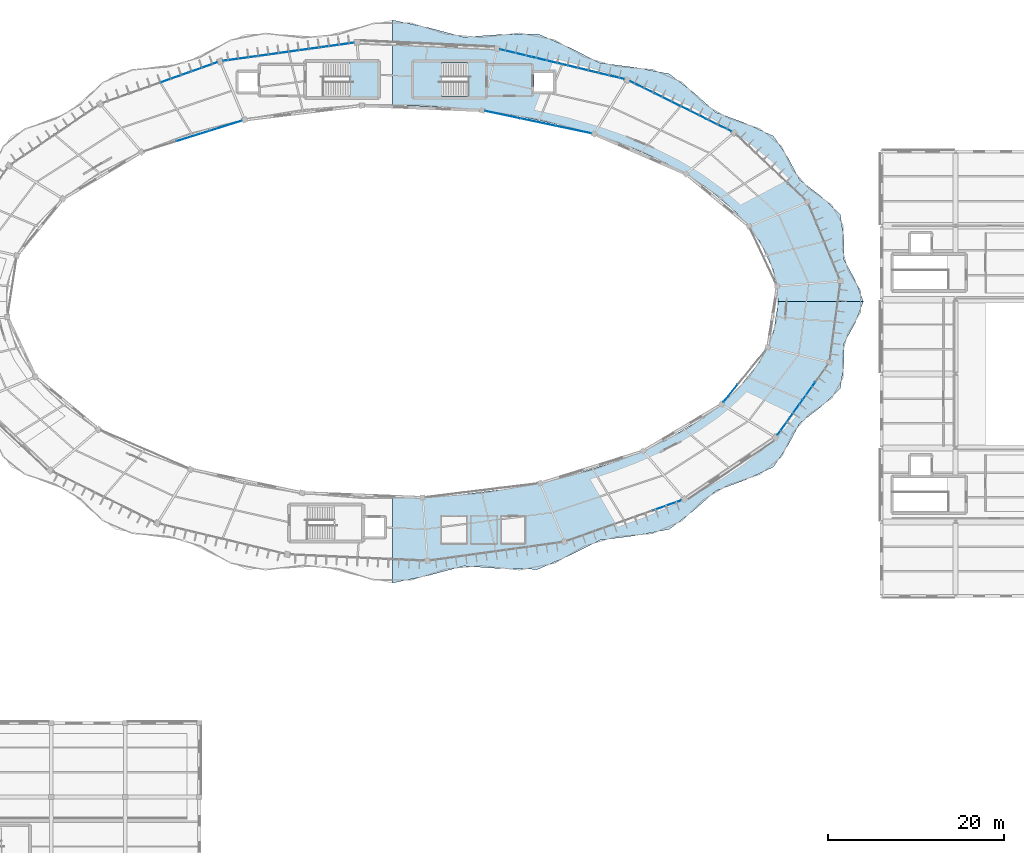
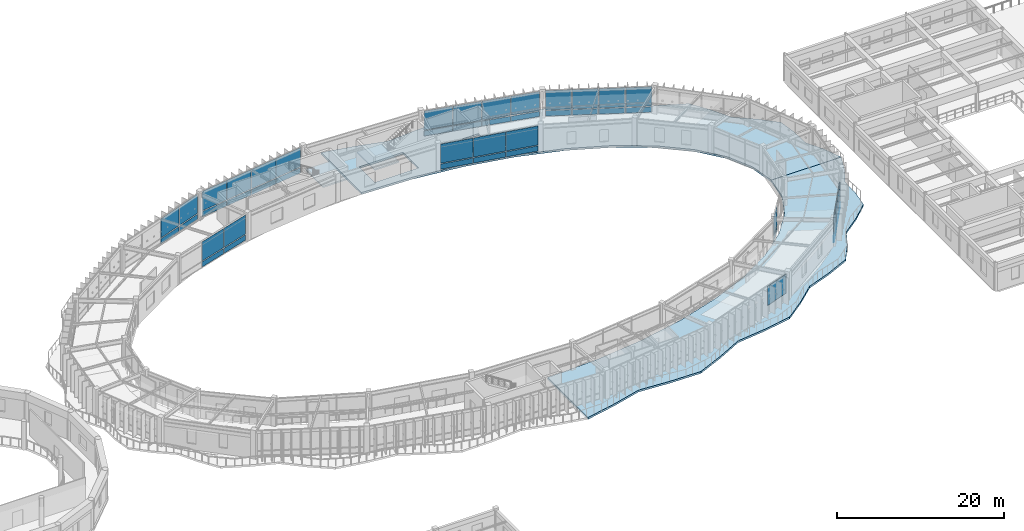
# One storey, part 86 of 114: 47 plates, 4 slabs, 11 elements without a shape of their own.
"""IFC4 building model written with IfcOpenShell, lengths in metres."""

from ifc_helpers import new_model, si_unit, direction, frame, origin, origin_2d, place, context, subcontext, project, spatial, polyline, rectangle, outline, extrude, material, layer, layer_set, type_object, element, aggregate, save


model = new_model("IFC4")

# Units and contexts
model_context = context("Model", 3, precision=1e-05, world=origin(), true_north=direction((0.0, 1.0)))
body_context = subcontext(model_context, "Body", "Model", "MODEL_VIEW")
ifc_project = project(units=[si_unit("LENGTHUNIT", "METRE"), si_unit("AREAUNIT", "SQUARE_METRE"), si_unit("VOLUMEUNIT", "CUBIC_METRE"), si_unit("PLANEANGLEUNIT", "RADIAN"), si_unit("MASSUNIT", "GRAM", prefix="KILO"), si_unit("THERMODYNAMICTEMPERATUREUNIT", "KELVIN"), si_unit("POWERUNIT", "WATT")], contexts=[model_context])

# Site, building, storey
site_placement = place(None, origin())
site = spatial("IfcSite", under=ifc_project, at=site_placement, CompositionType="ELEMENT")
building_placement = place(site_placement, origin())
building = spatial("IfcBuilding", under=site, at=building_placement, Name="Darbajah Civic Hall", CompositionType="ELEMENT")
storey_placement = place(building_placement, frame((0.0, 0.0, 13.800048828125)))
storey = spatial("IfcBuildingStorey", under=building, at=storey_placement, Name="L03", CompositionType="ELEMENT", Elevation=13.800048828125)

# Curtain wall, plates
ifc_material_1 = material(Name="Anodised Bronze Aluminium and Low-E Glazing", Category="aluminium")
curtain_wall_type_1 = type_object("IfcCurtainWallType", Name="Unitised Curtain Wall CW-56 12900x3900", PredefinedType="USERDEFINED", material=ifc_material_1)
curtain_wall_1_placement = place(storey_placement, origin())
curtain_wall_1 = element("IfcCurtainWall", 1, at=curtain_wall_1_placement, inside=storey, type_object=curtain_wall_type_1, Name="L03 unitised curtain wall CW-V1O-L03-02", ObjectType="UNITISED CURTAIN WALL", PredefinedType="USERDEFINED")
ifc_material_2 = material(Name="Low-E Solar Control Double Glazing", Category="glass")
ifc_layer_1 = layer(ifc_material_2, 0.02392578125, Name="Low-E Solar Control Double Glazing")
ifc_layer_set_1 = layer_set([ifc_layer_1], Name="Low-E Solar Control Double Glazing")
plate_type_1 = type_object("IfcPlateType", Name="Solar Double Glazing 24mm", PredefinedType="CURTAIN_PANEL", material=ifc_layer_set_1)
plate_1_placement = place(storey_placement, frame((126.14404296875, 109.816650390625, 0.10009765625), z_axis=(0.0, 0.0, 1.0), x_axis=(-0.89656374724, 0.442914717678, 0.0)))
plate_1 = element("IfcPlate", 2, at=plate_1_placement, type_object=plate_type_1, Name="CW-V1O-L03-02 glazed panel 1.1", PredefinedType="CURTAIN_PANEL", context=body_context, shape_type="SweptSolid", body=[
    extrude(rectangle(XDim=3.15478515625, YDim=0.02392578125, at=origin_2d()), origin(), (0.0, 0.0, 1.0), 0.800048828125),
])
plate_2_placement = place(storey_placement, frame((126.14404296875, 109.816650390625, 1.0), z_axis=(0.0, 0.0, 1.0), x_axis=(-0.89656374724, 0.442914717678, 0.0)))
plate_2 = element("IfcPlate", 3, at=plate_2_placement, type_object=plate_type_1, Name="CW-V1O-L03-02 glazed panel 1.2", PredefinedType="CURTAIN_PANEL", context=body_context, shape_type="SweptSolid", body=[
    extrude(rectangle(XDim=3.15478515625, YDim=0.02392578125, at=origin_2d()), origin(), (0.0, 0.0, 1.0), 2.820068359375),
])
plate_3_placement = place(storey_placement, frame((123.25732421875, 111.24267578125, 0.10009765625), z_axis=(0.0, 0.0, 1.0), x_axis=(-0.89656374724, 0.442914717678, 0.0)))
plate_3 = element("IfcPlate", 4, at=plate_3_placement, type_object=plate_type_1, Name="CW-V1O-L03-02 glazed panel 2.1", PredefinedType="CURTAIN_PANEL", context=body_context, shape_type="SweptSolid", body=[
    extrude(rectangle(XDim=3.15478515625, YDim=0.02392578125, at=origin_2d()), origin(), (0.0, 0.0, 1.0), 0.800048828125),
])
plate_4_placement = place(storey_placement, frame((123.25732421875, 111.24267578125, 1.0), z_axis=(0.0, 0.0, 1.0), x_axis=(-0.89656374724, 0.442914717678, 0.0)))
plate_4 = element("IfcPlate", 5, at=plate_4_placement, type_object=plate_type_1, Name="CW-V1O-L03-02 glazed panel 2.2", PredefinedType="CURTAIN_PANEL", context=body_context, shape_type="SweptSolid", body=[
    extrude(rectangle(XDim=3.15478515625, YDim=0.02392578125, at=origin_2d()), origin(), (0.0, 0.0, 1.0), 2.820068359375),
])
plate_5_placement = place(storey_placement, frame((120.37060546875, 112.6689453125, 0.10009765625), z_axis=(0.0, 0.0, 1.0), x_axis=(-0.89656374724, 0.442914717678, 0.0)))
plate_5 = element("IfcPlate", 6, at=plate_5_placement, type_object=plate_type_1, Name="CW-V1O-L03-02 glazed panel 3.1", PredefinedType="CURTAIN_PANEL", context=body_context, shape_type="SweptSolid", body=[
    extrude(rectangle(XDim=3.15478515625, YDim=0.02392578125, at=origin_2d()), origin(), (0.0, 0.0, 1.0), 0.800048828125),
])
plate_6_placement = place(storey_placement, frame((120.37060546875, 112.6689453125, 1.0), z_axis=(0.0, 0.0, 1.0), x_axis=(-0.89656374724, 0.442914717678, 0.0)))
plate_6 = element("IfcPlate", 7, at=plate_6_placement, type_object=plate_type_1, Name="CW-V1O-L03-02 glazed panel 3.2", PredefinedType="CURTAIN_PANEL", context=body_context, shape_type="SweptSolid", body=[
    extrude(rectangle(XDim=3.15478515625, YDim=0.02392578125, at=origin_2d()), origin(), (0.0, 0.0, 1.0), 2.820068359375),
])
plate_7_placement = place(storey_placement, frame((117.48388671875, 114.094970703125, 0.10009765625), z_axis=(0.0, 0.0, 1.0), x_axis=(-0.89656374724, 0.442914717678, 0.0)))
plate_7 = element("IfcPlate", 8, at=plate_7_placement, type_object=plate_type_1, Name="CW-V1O-L03-02 glazed panel 4.1", PredefinedType="CURTAIN_PANEL", context=body_context, shape_type="SweptSolid", body=[
    extrude(rectangle(XDim=3.15478515625, YDim=0.02392578125, at=origin_2d()), origin(), (0.0, 0.0, 1.0), 0.800048828125),
])
plate_8_placement = place(storey_placement, frame((117.48388671875, 114.094970703125, 1.0), z_axis=(0.0, 0.0, 1.0), x_axis=(-0.89656374724, 0.442914717678, 0.0)))
plate_8 = element("IfcPlate", 9, at=plate_8_placement, type_object=plate_type_1, Name="CW-V1O-L03-02 glazed panel 4.2", PredefinedType="CURTAIN_PANEL", context=body_context, shape_type="SweptSolid", body=[
    extrude(rectangle(XDim=3.15478515625, YDim=0.02392578125, at=origin_2d()), origin(), (0.0, 0.0, 1.0), 2.820068359375),
])
aggregate(curtain_wall_1, [plate_1, plate_2, plate_3, plate_4, plate_5, plate_6, plate_7, plate_8])

curtain_wall_type_2 = type_object("IfcCurtainWallType", Name="Unitised Curtain Wall CW-42 15000x3900", PredefinedType="USERDEFINED", material=ifc_material_1)
curtain_wall_2_placement = place(storey_placement, origin())
curtain_wall_2 = element("IfcCurtainWall", 10, at=curtain_wall_2_placement, inside=storey, type_object=curtain_wall_type_2, Name="L03 unitised curtain wall CW-V1O-L03-05", ObjectType="UNITISED CURTAIN WALL", PredefinedType="USERDEFINED")
plate_9_placement = place(storey_placement, frame((82.916259765625, 118.906005859375, 0.10009765625), z_axis=(0.0, 0.0, 1.0), x_axis=(-0.990485459553, -0.137617420457, 0.0)))
plate_9 = element("IfcPlate", 11, at=plate_9_placement, type_object=plate_type_1, Name="CW-V1O-L03-05 glazed panel 1.1", PredefinedType="CURTAIN_PANEL", context=body_context, shape_type="SweptSolid", body=[
    extrude(rectangle(XDim=3.6875, YDim=0.02392578125, at=origin_2d()), origin(), (0.0, 0.0, 1.0), 0.800048828125),
])
plate_10_placement = place(storey_placement, frame((82.916259765625, 118.906005859375, 1.0), z_axis=(0.0, 0.0, 1.0), x_axis=(-0.990485459553, -0.137617420457, 0.0)))
plate_10 = element("IfcPlate", 12, at=plate_10_placement, type_object=plate_type_1, Name="CW-V1O-L03-05 glazed panel 1.2", PredefinedType="CURTAIN_PANEL", context=body_context, shape_type="SweptSolid", body=[
    extrude(rectangle(XDim=3.6875, YDim=0.02392578125, at=origin_2d()), origin(), (0.0, 0.0, 1.0), 2.820068359375),
])
plate_11_placement = place(storey_placement, frame((79.19921875, 118.389892578125, 0.10009765625), z_axis=(0.0, 0.0, 1.0), x_axis=(-0.990485459553, -0.137617420457, 0.0)))
plate_11 = element("IfcPlate", 13, at=plate_11_placement, type_object=plate_type_1, Name="CW-V1O-L03-05 glazed panel 2.1", PredefinedType="CURTAIN_PANEL", context=body_context, shape_type="SweptSolid", body=[
    extrude(rectangle(XDim=3.6875, YDim=0.02392578125, at=origin_2d()), origin(), (0.0, 0.0, 1.0), 0.800048828125),
])
plate_12_placement = place(storey_placement, frame((79.19921875, 118.389892578125, 1.0), z_axis=(0.0, 0.0, 1.0), x_axis=(-0.990485459553, -0.137617420457, 0.0)))
plate_12 = element("IfcPlate", 14, at=plate_12_placement, type_object=plate_type_1, Name="CW-V1O-L03-05 glazed panel 2.2", PredefinedType="CURTAIN_PANEL", context=body_context, shape_type="SweptSolid", body=[
    extrude(rectangle(XDim=3.6875, YDim=0.02392578125, at=origin_2d()), origin(), (0.0, 0.0, 1.0), 2.820068359375),
])
plate_13_placement = place(storey_placement, frame((75.482421875, 117.87353515625, 0.10009765625), z_axis=(0.0, 0.0, 1.0), x_axis=(-0.990485459553, -0.137617420457, 0.0)))
plate_13 = element("IfcPlate", 15, at=plate_13_placement, type_object=plate_type_1, Name="CW-V1O-L03-05 glazed panel 3.1", PredefinedType="CURTAIN_PANEL", context=body_context, shape_type="SweptSolid", body=[
    extrude(rectangle(XDim=3.6875, YDim=0.02392578125, at=origin_2d()), origin(), (0.0, 0.0, 1.0), 0.800048828125),
])
plate_14_placement = place(storey_placement, frame((75.482421875, 117.87353515625, 1.0), z_axis=(0.0, 0.0, 1.0), x_axis=(-0.990485459553, -0.137617420457, 0.0)))
plate_14 = element("IfcPlate", 16, at=plate_14_placement, type_object=plate_type_1, Name="CW-V1O-L03-05 glazed panel 3.2", PredefinedType="CURTAIN_PANEL", context=body_context, shape_type="SweptSolid", body=[
    extrude(rectangle(XDim=3.6875, YDim=0.02392578125, at=origin_2d()), origin(), (0.0, 0.0, 1.0), 2.820068359375),
])
plate_15_placement = place(storey_placement, frame((71.765380859375, 117.357421875, 0.10009765625), z_axis=(0.0, 0.0, 1.0), x_axis=(-0.990485459553, -0.137617420457, 0.0)))
plate_15 = element("IfcPlate", 17, at=plate_15_placement, type_object=plate_type_1, Name="CW-V1O-L03-05 glazed panel 4.1", PredefinedType="CURTAIN_PANEL", context=body_context, shape_type="SweptSolid", body=[
    extrude(rectangle(XDim=3.6875, YDim=0.02392578125, at=origin_2d()), origin(), (0.0, 0.0, 1.0), 0.800048828125),
])
plate_16_placement = place(storey_placement, frame((71.765380859375, 117.357421875, 1.0), z_axis=(0.0, 0.0, 1.0), x_axis=(-0.990485459553, -0.137617420457, 0.0)))
plate_16 = element("IfcPlate", 18, at=plate_16_placement, type_object=plate_type_1, Name="CW-V1O-L03-05 glazed panel 4.2", PredefinedType="CURTAIN_PANEL", context=body_context, shape_type="SweptSolid", body=[
    extrude(rectangle(XDim=3.6875, YDim=0.02392578125, at=origin_2d()), origin(), (0.0, 0.0, 1.0), 2.820068359375),
])
aggregate(curtain_wall_2, [plate_9, plate_10, plate_11, plate_12, plate_13, plate_14, plate_15, plate_16])

curtain_wall_type_3 = type_object("IfcCurtainWallType", Name="Unitised Curtain Wall CW-41 12300x3900", PredefinedType="USERDEFINED", material=ifc_material_1)
curtain_wall_3_placement = place(storey_placement, origin())
curtain_wall_3 = element("IfcCurtainWall", 19, at=curtain_wall_3_placement, inside=storey, type_object=curtain_wall_type_3, Name="L03 unitised curtain wall CW-V1I-L03-03", ObjectType="UNITISED CURTAIN WALL", PredefinedType="USERDEFINED")
ifc_layer_2 = layer(ifc_material_2, 0.028076171875, Name="Low-E Solar Control Double Glazing")
ifc_layer_set_2 = layer_set([ifc_layer_2], Name="Low-E Solar Control Double Glazing")
plate_type_2 = type_object("IfcPlateType", Name="Solar Double Glazing 28mm", PredefinedType="CURTAIN_PANEL", material=ifc_layer_set_2)
plate_17_placement = place(storey_placement, frame((109.67822265625, 109.30029296875, 0.119873046875), z_axis=(0.0, 0.0, 1.0), x_axis=(-0.978472980779, 0.206374964291, 0.0)))
plate_17 = element("IfcPlate", 20, at=plate_17_placement, type_object=plate_type_2, Name="CW-V1I-L03-03 glazed panel 1.1", PredefinedType="CURTAIN_PANEL", context=body_context, shape_type="SweptSolid", body=[
    extrude(rectangle(XDim=4.041748046875, YDim=0.028076171875, at=origin_2d()), origin(), (0.0, 0.0, 1.0), 0.77001953125),
])
plate_18_placement = place(storey_placement, frame((109.67822265625, 109.30029296875, 1.010009765625), z_axis=(0.0, 0.0, 1.0), x_axis=(-0.978472980779, 0.206374964291, 0.0)))
plate_18 = element("IfcPlate", 21, at=plate_18_placement, type_object=plate_type_2, Name="CW-V1I-L03-03 glazed panel 1.2", PredefinedType="CURTAIN_PANEL", context=body_context, shape_type="SweptSolid", body=[
    extrude(rectangle(XDim=4.041748046875, YDim=0.028076171875, at=origin_2d()), origin(), (0.0, 0.0, 1.0), 2.7900390625),
])
plate_19_placement = place(storey_placement, frame((105.655029296875, 110.148681640625, 0.119873046875), z_axis=(0.0, 0.0, 1.0), x_axis=(-0.978472980779, 0.206374964291, 0.0)))
plate_19 = element("IfcPlate", 22, at=plate_19_placement, type_object=plate_type_2, Name="CW-V1I-L03-03 glazed panel 2.1", PredefinedType="CURTAIN_PANEL", context=body_context, shape_type="SweptSolid", body=[
    extrude(rectangle(XDim=4.041748046875, YDim=0.028076171875, at=origin_2d()), origin(), (0.0, 0.0, 1.0), 0.77001953125),
])
plate_20_placement = place(storey_placement, frame((105.655029296875, 110.148681640625, 1.010009765625), z_axis=(0.0, 0.0, 1.0), x_axis=(-0.978472980779, 0.206374964291, 0.0)))
plate_20 = element("IfcPlate", 23, at=plate_20_placement, type_object=plate_type_2, Name="CW-V1I-L03-03 glazed panel 2.2", PredefinedType="CURTAIN_PANEL", context=body_context, shape_type="SweptSolid", body=[
    extrude(rectangle(XDim=4.041748046875, YDim=0.028076171875, at=origin_2d()), origin(), (0.0, 0.0, 1.0), 2.7900390625),
])
plate_21_placement = place(storey_placement, frame((101.632080078125, 110.997314453125, 0.119873046875), z_axis=(0.0, 0.0, 1.0), x_axis=(-0.978472980779, 0.206374964291, 0.0)))
plate_21 = element("IfcPlate", 24, at=plate_21_placement, type_object=plate_type_2, Name="CW-V1I-L03-03 glazed panel 3.1", PredefinedType="CURTAIN_PANEL", context=body_context, shape_type="SweptSolid", body=[
    extrude(rectangle(XDim=4.041748046875, YDim=0.028076171875, at=origin_2d()), origin(), (0.0, 0.0, 1.0), 0.77001953125),
])
plate_22_placement = place(storey_placement, frame((101.632080078125, 110.997314453125, 1.010009765625), z_axis=(0.0, 0.0, 1.0), x_axis=(-0.978472980779, 0.206374964291, 0.0)))
plate_22 = element("IfcPlate", 25, at=plate_22_placement, type_object=plate_type_2, Name="CW-V1I-L03-03 glazed panel 3.2", PredefinedType="CURTAIN_PANEL", context=body_context, shape_type="SweptSolid", body=[
    extrude(rectangle(XDim=4.041748046875, YDim=0.028076171875, at=origin_2d()), origin(), (0.0, 0.0, 1.0), 2.7900390625),
])
aggregate(curtain_wall_3, [plate_17, plate_18, plate_19, plate_20, plate_21, plate_22])

curtain_wall_type_4 = type_object("IfcCurtainWallType", Name="Unitised Curtain Wall CW-43 11600x3900", PredefinedType="USERDEFINED", material=ifc_material_1)
curtain_wall_4_placement = place(storey_placement, origin())
curtain_wall_4 = element("IfcCurtainWall", 26, at=curtain_wall_4_placement, inside=storey, type_object=curtain_wall_type_4, Name="L03 unitised curtain wall CW-V1I-L03-06", ObjectType="UNITISED CURTAIN WALL", PredefinedType="USERDEFINED")
plate_23_placement = place(storey_placement, frame((70.198974609375, 109.735107421875, 0.119873046875), z_axis=(0.0, 0.0, 1.0), x_axis=(-0.954604963513, -0.297874744877, 0.0)))
plate_23 = element("IfcPlate", 27, at=plate_23_placement, type_object=plate_type_2, Name="CW-V1I-L03-06 glazed panel 1.1", PredefinedType="CURTAIN_PANEL", context=body_context, shape_type="SweptSolid", body=[
    extrude(rectangle(XDim=3.80859375, YDim=0.028076171875, at=origin_2d()), origin(), (0.0, 0.0, 1.0), 0.77001953125),
])
plate_24_placement = place(storey_placement, frame((70.198974609375, 109.735107421875, 1.010009765625), z_axis=(0.0, 0.0, 1.0), x_axis=(-0.954604963513, -0.297874744877, 0.0)))
plate_24 = element("IfcPlate", 28, at=plate_24_placement, type_object=plate_type_2, Name="CW-V1I-L03-06 glazed panel 1.2", PredefinedType="CURTAIN_PANEL", context=body_context, shape_type="SweptSolid", body=[
    extrude(rectangle(XDim=3.80859375, YDim=0.028076171875, at=origin_2d()), origin(), (0.0, 0.0, 1.0), 2.7900390625),
])
plate_25_placement = place(storey_placement, frame((66.496337890625, 108.579833984375, 0.119873046875), z_axis=(0.0, 0.0, 1.0), x_axis=(-0.954604963513, -0.297874744877, 0.0)))
plate_25 = element("IfcPlate", 29, at=plate_25_placement, type_object=plate_type_2, Name="CW-V1I-L03-06 glazed panel 2.1", PredefinedType="CURTAIN_PANEL", context=body_context, shape_type="SweptSolid", body=[
    extrude(rectangle(XDim=3.80859375, YDim=0.028076171875, at=origin_2d()), origin(), (0.0, 0.0, 1.0), 0.77001953125),
])
plate_26_placement = place(storey_placement, frame((66.496337890625, 108.579833984375, 1.010009765625), z_axis=(0.0, 0.0, 1.0), x_axis=(-0.954604963513, -0.297874744877, 0.0)))
plate_26 = element("IfcPlate", 30, at=plate_26_placement, type_object=plate_type_2, Name="CW-V1I-L03-06 glazed panel 2.2", PredefinedType="CURTAIN_PANEL", context=body_context, shape_type="SweptSolid", body=[
    extrude(rectangle(XDim=3.80859375, YDim=0.028076171875, at=origin_2d()), origin(), (0.0, 0.0, 1.0), 2.7900390625),
])
aggregate(curtain_wall_4, [plate_23, plate_24, plate_25, plate_26])

# Curtain wall, plate
curtain_wall_type_5 = type_object("IfcCurtainWallType", Name="Unitised Curtain Wall CW-62 13800x3900", PredefinedType="USERDEFINED", material=ifc_material_1)
curtain_wall_5_placement = place(storey_placement, origin())
curtain_wall_5 = element("IfcCurtainWall", 31, at=curtain_wall_5_placement, inside=storey, type_object=curtain_wall_type_5, Name="L03 unitised curtain wall CW-V1O-L03-16", ObjectType="UNITISED CURTAIN WALL", PredefinedType="USERDEFINED")
plate_27_placement = place(storey_placement, frame((120.2900390625, 66.683349609375, 1.010009765625), z_axis=(0.0, 0.0, 1.0), x_axis=(0.94252491309, 0.334135882844, 0.0)))
plate_27 = element("IfcPlate", 32, at=plate_27_placement, type_object=plate_type_2, Name="CW-V1O-L03-16 glazed panel 4.2", PredefinedType="CURTAIN_PANEL", context=body_context, shape_type="SweptSolid", body=[
    extrude(rectangle(XDim=3.375, YDim=0.028076171875, at=origin_2d()), origin(), (0.0, 0.0, 1.0), 2.7900390625),
])
aggregate(curtain_wall_5, [plate_27])

# Curtain wall, plates
curtain_wall_type_6 = type_object("IfcCurtainWallType", Name="Unitised Curtain Wall CW-52 7700x3900", PredefinedType="USERDEFINED", material=ifc_material_1)
curtain_wall_6_placement = place(storey_placement, origin())
curtain_wall_6 = element("IfcCurtainWall", 33, at=curtain_wall_6_placement, inside=storey, type_object=curtain_wall_type_6, Name="L03 unitised curtain wall CW-V1I-L03-18", ObjectType="UNITISED CURTAIN WALL", PredefinedType="USERDEFINED")
plate_28_placement = place(storey_placement, frame((127.44677734375, 79.37890625, 0.119873046875), z_axis=(0.0, 0.0, 1.0), x_axis=(0.63108205791, 0.775716079622, 0.0)))
plate_28 = element("IfcPlate", 34, at=plate_28_placement, type_object=plate_type_2, Name="CW-V1I-L03-18 glazed panel 1.1", PredefinedType="CURTAIN_PANEL", context=body_context, shape_type="SweptSolid", body=[
    extrude(rectangle(XDim=2.49853515625, YDim=0.028076171875, at=origin_2d()), origin(), (0.0, 0.0, 1.0), 0.77001953125),
])
plate_29_placement = place(storey_placement, frame((127.44677734375, 79.37890625, 1.010009765625), z_axis=(0.0, 0.0, 1.0), x_axis=(0.63108205791, 0.775716079622, 0.0)))
plate_29 = element("IfcPlate", 35, at=plate_29_placement, type_object=plate_type_2, Name="CW-V1I-L03-18 glazed panel 1.2", PredefinedType="CURTAIN_PANEL", context=body_context, shape_type="SweptSolid", body=[
    extrude(rectangle(XDim=2.49853515625, YDim=0.028076171875, at=origin_2d()), origin(), (0.0, 0.0, 1.0), 2.7900390625),
])
aggregate(curtain_wall_6, [plate_28, plate_29])

curtain_wall_type_7 = type_object("IfcCurtainWallType", Name="Unitised Curtain Wall CW-40 14500x3900", PredefinedType="USERDEFINED", material=ifc_material_1)
curtain_wall_7_placement = place(storey_placement, origin())
curtain_wall_7 = element("IfcCurtainWall", 36, at=curtain_wall_7_placement, inside=storey, type_object=curtain_wall_type_7, Name="L03 unitised curtain wall CW-V1O-L03-03", ObjectType="UNITISED CURTAIN WALL", PredefinedType="USERDEFINED")
ifc_layer_3 = layer(ifc_material_2, 0.031982421875, Name="Low-E Solar Control Double Glazing")
ifc_layer_set_3 = layer_set([ifc_layer_3], Name="Low-E Solar Control Double Glazing")
plate_type_3 = type_object("IfcPlateType", Name="Solar Double Glazing 32mm", PredefinedType="CURTAIN_PANEL", material=ifc_layer_set_3)
plate_30_placement = place(storey_placement, frame((113.666259765625, 115.451416015625, 0.14013671875), z_axis=(0.0, 0.0, 1.0), x_axis=(-0.972492018808, 0.232936200179, 0.0)))
plate_30 = element("IfcPlate", 37, at=plate_30_placement, type_object=plate_type_3, Name="CW-V1O-L03-03 glazed panel 1.1", PredefinedType="CURTAIN_PANEL", context=body_context, shape_type="SweptSolid", body=[
    extrude(rectangle(XDim=3.55126953125, YDim=0.031982421875, at=origin_2d()), origin(), (0.0, 0.0, 1.0), 0.739990234375),
])
plate_31_placement = place(storey_placement, frame((113.666259765625, 115.451416015625, 1.02001953125), z_axis=(0.0, 0.0, 1.0), x_axis=(-0.972492018808, 0.232936200179, 0.0)))
plate_31 = element("IfcPlate", 38, at=plate_31_placement, type_object=plate_type_3, Name="CW-V1O-L03-03 glazed panel 1.2", PredefinedType="CURTAIN_PANEL", context=body_context, shape_type="SweptSolid", body=[
    extrude(rectangle(XDim=3.55126953125, YDim=0.031982421875, at=origin_2d()), origin(), (0.0, 0.0, 1.0), 2.760009765625),
])
plate_32_placement = place(storey_placement, frame((110.1396484375, 116.29638671875, 0.14013671875), z_axis=(0.0, 0.0, 1.0), x_axis=(-0.972492018808, 0.232936200179, 0.0)))
plate_32 = element("IfcPlate", 39, at=plate_32_placement, type_object=plate_type_3, Name="CW-V1O-L03-03 glazed panel 2.1", PredefinedType="CURTAIN_PANEL", context=body_context, shape_type="SweptSolid", body=[
    extrude(rectangle(XDim=3.55126953125, YDim=0.031982421875, at=origin_2d()), origin(), (0.0, 0.0, 1.0), 0.739990234375),
])
plate_33_placement = place(storey_placement, frame((110.1396484375, 116.29638671875, 1.02001953125), z_axis=(0.0, 0.0, 1.0), x_axis=(-0.972492018808, 0.232936200179, 0.0)))
plate_33 = element("IfcPlate", 40, at=plate_33_placement, type_object=plate_type_3, Name="CW-V1O-L03-03 glazed panel 2.2", PredefinedType="CURTAIN_PANEL", context=body_context, shape_type="SweptSolid", body=[
    extrude(rectangle(XDim=3.55126953125, YDim=0.031982421875, at=origin_2d()), origin(), (0.0, 0.0, 1.0), 2.760009765625),
])
plate_34_placement = place(storey_placement, frame((106.61328125, 117.141357421875, 0.14013671875), z_axis=(0.0, 0.0, 1.0), x_axis=(-0.972492018808, 0.232936200179, 0.0)))
plate_34 = element("IfcPlate", 41, at=plate_34_placement, type_object=plate_type_3, Name="CW-V1O-L03-03 glazed panel 3.1", PredefinedType="CURTAIN_PANEL", context=body_context, shape_type="SweptSolid", body=[
    extrude(rectangle(XDim=3.55126953125, YDim=0.031982421875, at=origin_2d()), origin(), (0.0, 0.0, 1.0), 0.739990234375),
])
plate_35_placement = place(storey_placement, frame((106.61328125, 117.141357421875, 1.02001953125), z_axis=(0.0, 0.0, 1.0), x_axis=(-0.972492018808, 0.232936200179, 0.0)))
plate_35 = element("IfcPlate", 42, at=plate_35_placement, type_object=plate_type_3, Name="CW-V1O-L03-03 glazed panel 3.2", PredefinedType="CURTAIN_PANEL", context=body_context, shape_type="SweptSolid", body=[
    extrude(rectangle(XDim=3.55126953125, YDim=0.031982421875, at=origin_2d()), origin(), (0.0, 0.0, 1.0), 2.760009765625),
])
plate_36_placement = place(storey_placement, frame((103.0869140625, 117.986328125, 0.14013671875), z_axis=(0.0, 0.0, 1.0), x_axis=(-0.972492018808, 0.232936200179, 0.0)))
plate_36 = element("IfcPlate", 43, at=plate_36_placement, type_object=plate_type_3, Name="CW-V1O-L03-03 glazed panel 4.1", PredefinedType="CURTAIN_PANEL", context=body_context, shape_type="SweptSolid", body=[
    extrude(rectangle(XDim=3.55126953125, YDim=0.031982421875, at=origin_2d()), origin(), (0.0, 0.0, 1.0), 0.739990234375),
])
plate_37_placement = place(storey_placement, frame((103.0869140625, 117.986328125, 1.02001953125), z_axis=(0.0, 0.0, 1.0), x_axis=(-0.972492018808, 0.232936200179, 0.0)))
plate_37 = element("IfcPlate", 44, at=plate_37_placement, type_object=plate_type_3, Name="CW-V1O-L03-03 glazed panel 4.2", PredefinedType="CURTAIN_PANEL", context=body_context, shape_type="SweptSolid", body=[
    extrude(rectangle(XDim=3.55126953125, YDim=0.031982421875, at=origin_2d()), origin(), (0.0, 0.0, 1.0), 2.760009765625),
])
aggregate(curtain_wall_7, [plate_30, plate_31, plate_32, plate_33, plate_34, plate_35, plate_36, plate_37])

curtain_wall_type_8 = type_object("IfcCurtainWallType", Name="Unitised Curtain Wall CW-57 13800x3900", PredefinedType="USERDEFINED", material=ifc_material_1)
curtain_wall_8_placement = place(storey_placement, origin())
curtain_wall_8 = element("IfcCurtainWall", 45, at=curtain_wall_8_placement, inside=storey, type_object=curtain_wall_type_8, Name="L03 unitised curtain wall CW-V1O-L03-06", ObjectType="UNITISED CURTAIN WALL", PredefinedType="USERDEFINED")
plate_38_placement = place(storey_placement, frame((67.6513671875, 116.36962890625, 0.14013671875), z_axis=(0.0, 0.0, 1.0), x_axis=(-0.94252491309, -0.334135882844, 0.0)))
plate_38 = element("IfcPlate", 46, at=plate_38_placement, type_object=plate_type_3, Name="CW-V1O-L03-06 glazed panel 1.1", PredefinedType="CURTAIN_PANEL", context=body_context, shape_type="SweptSolid", body=[
    extrude(rectangle(XDim=3.3701171875, YDim=0.031982421875, at=origin_2d()), origin(), (0.0, 0.0, 1.0), 0.739990234375),
])
plate_39_placement = place(storey_placement, frame((67.6513671875, 116.36962890625, 1.02001953125), z_axis=(0.0, 0.0, 1.0), x_axis=(-0.94252491309, -0.334135882844, 0.0)))
plate_39 = element("IfcPlate", 47, at=plate_39_placement, type_object=plate_type_3, Name="CW-V1O-L03-06 glazed panel 1.2", PredefinedType="CURTAIN_PANEL", context=body_context, shape_type="SweptSolid", body=[
    extrude(rectangle(XDim=3.3701171875, YDim=0.031982421875, at=origin_2d()), origin(), (0.0, 0.0, 1.0), 2.760009765625),
])
plate_40_placement = place(storey_placement, frame((64.404296875, 115.21875, 0.14013671875), z_axis=(0.0, 0.0, 1.0), x_axis=(-0.94252491309, -0.334135882844, 0.0)))
plate_40 = element("IfcPlate", 48, at=plate_40_placement, type_object=plate_type_3, Name="CW-V1O-L03-06 glazed panel 2.1", PredefinedType="CURTAIN_PANEL", context=body_context, shape_type="SweptSolid", body=[
    extrude(rectangle(XDim=3.3701171875, YDim=0.031982421875, at=origin_2d()), origin(), (0.0, 0.0, 1.0), 0.739990234375),
])
plate_41_placement = place(storey_placement, frame((64.404296875, 115.21875, 1.02001953125), z_axis=(0.0, 0.0, 1.0), x_axis=(-0.94252491309, -0.334135882844, 0.0)))
plate_41 = element("IfcPlate", 49, at=plate_41_placement, type_object=plate_type_3, Name="CW-V1O-L03-06 glazed panel 2.2", PredefinedType="CURTAIN_PANEL", context=body_context, shape_type="SweptSolid", body=[
    extrude(rectangle(XDim=3.3701171875, YDim=0.031982421875, at=origin_2d()), origin(), (0.0, 0.0, 1.0), 2.760009765625),
])
aggregate(curtain_wall_8, [plate_38, plate_39, plate_40, plate_41])

curtain_wall_type_9 = type_object("IfcCurtainWallType", Name="Unitised Curtain Wall CW-51 9800x3900", PredefinedType="USERDEFINED", material=ifc_material_1)
curtain_wall_9_placement = place(storey_placement, origin())
curtain_wall_9 = element("IfcCurtainWall", 50, at=curtain_wall_9_placement, inside=storey, type_object=curtain_wall_type_9, Name="L03 unitised curtain wall CW-V1O-L03-18", ObjectType="UNITISED CURTAIN WALL", PredefinedType="USERDEFINED")
plate_42_placement = place(storey_placement, frame((133.49072265625, 75.651611328125, 0.14013671875), z_axis=(0.0, 0.0, 1.0), x_axis=(0.582264874145, 0.812999149039, 0.0)))
plate_42 = element("IfcPlate", 51, at=plate_42_placement, type_object=plate_type_3, Name="CW-V1O-L03-18 glazed panel 1.1", PredefinedType="CURTAIN_PANEL", context=body_context, shape_type="SweptSolid", body=[
    extrude(rectangle(XDim=2.383544921875, YDim=0.031982421875, at=origin_2d()), origin(), (0.0, 0.0, 1.0), 0.739990234375),
])
plate_43_placement = place(storey_placement, frame((133.49072265625, 75.651611328125, 1.02001953125), z_axis=(0.0, 0.0, 1.0), x_axis=(0.582264874145, 0.812999149039, 0.0)))
plate_43 = element("IfcPlate", 52, at=plate_43_placement, type_object=plate_type_3, Name="CW-V1O-L03-18 glazed panel 1.2", PredefinedType="CURTAIN_PANEL", context=body_context, shape_type="SweptSolid", body=[
    extrude(rectangle(XDim=2.383544921875, YDim=0.031982421875, at=origin_2d()), origin(), (0.0, 0.0, 1.0), 2.760009765625),
])
plate_44_placement = place(storey_placement, frame((134.922119140625, 77.650390625, 0.14013671875), z_axis=(0.0, 0.0, 1.0), x_axis=(0.582264874145, 0.812999149039, 0.0)))
plate_44 = element("IfcPlate", 53, at=plate_44_placement, type_object=plate_type_3, Name="CW-V1O-L03-18 glazed panel 2.1", PredefinedType="CURTAIN_PANEL", context=body_context, shape_type="SweptSolid", body=[
    extrude(rectangle(XDim=2.383544921875, YDim=0.031982421875, at=origin_2d()), origin(), (0.0, 0.0, 1.0), 0.739990234375),
])
plate_45_placement = place(storey_placement, frame((134.922119140625, 77.650390625, 1.02001953125), z_axis=(0.0, 0.0, 1.0), x_axis=(0.582264874145, 0.812999149039, 0.0)))
plate_45 = element("IfcPlate", 54, at=plate_45_placement, type_object=plate_type_3, Name="CW-V1O-L03-18 glazed panel 2.2", PredefinedType="CURTAIN_PANEL", context=body_context, shape_type="SweptSolid", body=[
    extrude(rectangle(XDim=2.383544921875, YDim=0.031982421875, at=origin_2d()), origin(), (0.0, 0.0, 1.0), 2.760009765625),
])
plate_46_placement = place(storey_placement, frame((136.353515625, 79.649169921875, 0.14013671875), z_axis=(0.0, 0.0, 1.0), x_axis=(0.582264874145, 0.812999149039, 0.0)))
plate_46 = element("IfcPlate", 55, at=plate_46_placement, type_object=plate_type_3, Name="CW-V1O-L03-18 glazed panel 3.1", PredefinedType="CURTAIN_PANEL", context=body_context, shape_type="SweptSolid", body=[
    extrude(rectangle(XDim=2.383544921875, YDim=0.031982421875, at=origin_2d()), origin(), (0.0, 0.0, 1.0), 0.739990234375),
])
plate_47_placement = place(storey_placement, frame((136.353515625, 79.649169921875, 1.02001953125), z_axis=(0.0, 0.0, 1.0), x_axis=(0.582264874145, 0.812999149039, 0.0)))
plate_47 = element("IfcPlate", 56, at=plate_47_placement, type_object=plate_type_3, Name="CW-V1O-L03-18 glazed panel 3.2", PredefinedType="CURTAIN_PANEL", context=body_context, shape_type="SweptSolid", body=[
    extrude(rectangle(XDim=2.383544921875, YDim=0.031982421875, at=origin_2d()), origin(), (0.0, 0.0, 1.0), 2.760009765625),
])
aggregate(curtain_wall_9, [plate_42, plate_43, plate_44, plate_45, plate_46, plate_47])

# Stair, slab
ifc_material_3 = material(Name="Concrete C45/55", Category="concrete")
stair_type = type_object("IfcStairType", Name="Half Turn Stair 1650x4200", PredefinedType="HALF_TURN_STAIR", material=ifc_material_3)
stair_1_placement = place(storey_placement, origin())
stair_1 = element("IfcStair", 57, at=stair_1_placement, inside=storey, type_object=stair_type, Name="L03 enclosed exit stair ST01", PredefinedType="HALF_TURN_STAIR")
ifc_layer_4 = layer(ifc_material_3, 0.199951171875, Name="Concrete C45/55")
ifc_layer_set_4 = layer_set([ifc_layer_4], Name="Concrete C45/55")
slab_type_1 = type_object("IfcSlabType", Name="Stair Landing Slab 200mm", PredefinedType="LANDING", material=ifc_layer_set_4)
slab_1_placement = place(storey_placement, frame((0.0, 0.0, 1.89990234375)))
slab_1 = element("IfcSlab", 58, at=slab_1_placement, type_object=slab_type_1, Name="ST01 L03 half-landing", PredefinedType="LANDING", context=body_context, shape_type="SweptSolid", body=[
    extrude(outline(polyline([(84.239990234375, 112.89990234375), (87.60009765625, 112.89990234375), (87.60009765625, 117.10009765625), (84.239990234375, 117.10009765625), (84.239990234375, 112.89990234375)])), origin(), (0.0, 0.0, 1.0), 0.199951171875),
])
aggregate(stair_1, [slab_1])

stair_2_placement = place(storey_placement, origin())
stair_2 = element("IfcStair", 59, at=stair_2_placement, inside=storey, type_object=stair_type, Name="L03 enclosed exit stair ST02", PredefinedType="HALF_TURN_STAIR")
slab_2_placement = place(storey_placement, frame((0.0, 0.0, 1.89990234375)))
slab_2 = element("IfcSlab", 60, at=slab_2_placement, type_object=slab_type_1, Name="ST02 L03 half-landing", PredefinedType="LANDING", context=body_context, shape_type="SweptSolid", body=[
    extrude(outline(polyline([(91.39990234375, 112.89990234375), (94.760009765625, 112.89990234375), (94.760009765625, 117.10009765625), (91.39990234375, 117.10009765625), (91.39990234375, 112.89990234375)])), origin(), (0.0, 0.0, 1.0), 0.199951171875),
])
aggregate(stair_2, [slab_2])

# Slabs
ifc_layer_5 = layer(ifc_material_3, 0.280029296875, Name="Concrete C45/55")
ifc_layer_set_5 = layer_set([ifc_layer_5], Name="Concrete C45/55")
slab_type_2 = type_object("IfcSlabType", Name="Structural Floor Slab 280mm", PredefinedType="FLOOR", material=ifc_layer_set_5)
slab_3_placement = place(storey_placement, frame((0.0, 0.0, -0.280029296875)))
element("IfcSlab", 61, at=slab_3_placement, inside=storey, type_object=slab_type_2, Name="L03 Oval Administration Ring NE floor slab", PredefinedType="FLOOR", context=body_context, shape_type="SweptSolid", body=[
    extrude(outline(polyline([(142.5400390625, 89.800048828125), (141.59765625, 92.244873046875), (140.34130859375, 94.552490234375), (140.304931640625, 97.07421875), (139.924560546875, 99.669921875), (137.75146484375, 101.724365234375), (135.325439453125, 103.59228515625), (134.0, 106.0810546875), (132.333984375, 108.573974609375), (129.14306640625, 110.036865234375), (125.78466796875, 111.281982421875), (123.2998046875, 113.494140625), (120.51123046875, 115.639892578125), (116.61474609375, 116.368408203125), (112.653076171875, 116.868896484375), (109.252197265625, 118.588134765625), (105.614013671875, 120.1767578125), (101.393310546875, 120.09912109375), (97.2158203125, 119.805908203125), (93.231689453125, 120.864013671875), (89.10009765625, 121.739990234375), (89.10009765625, 112.080078125), (95.94873046875, 111.8056640625), (102.62890625, 110.989501953125), (108.9755859375, 109.651611328125), (114.833251953125, 107.824951171875), (120.05712890625, 105.55419921875), (124.518798828125, 102.89599609375), (128.1083984375, 99.914794921875), (130.7373046875, 96.684814453125), (132.341064453125, 93.285400390625), (132.8798828125, 89.800048828125), (142.5400390625, 89.800048828125)]), holes=[polyline([(91.5400390625, 116.8798828125), (97.6201171875, 116.8798828125), (97.6201171875, 113.1201171875), (91.5400390625, 113.1201171875), (91.5400390625, 116.8798828125)]), polyline([(105.14990234375, 115.75), (107.35009765625, 115.75), (107.35009765625, 113.64990234375), (105.14990234375, 113.64990234375), (105.14990234375, 115.75)])]), origin(), (0.0, 0.0, 1.0), 0.280029296875),
])
slab_4_placement = place(storey_placement, frame((0.0, 0.0, -0.280029296875)))
element("IfcSlab", 62, at=slab_4_placement, inside=storey, type_object=slab_type_2, Name="L03 Oval Administration Ring SE floor slab", PredefinedType="FLOOR", context=body_context, shape_type="SweptSolid", body=[
    extrude(outline(polyline([(89.10009765625, 57.860107421875), (93.231689453125, 58.736083984375), (97.2158203125, 59.7939453125), (101.393310546875, 59.5009765625), (105.614013671875, 59.42333984375), (109.252197265625, 61.011962890625), (112.653076171875, 62.731201171875), (116.61474609375, 63.231689453125), (120.51123046875, 63.9599609375), (123.2998046875, 66.105712890625), (125.78466796875, 68.318115234375), (129.14306640625, 69.563232421875), (132.333984375, 71.026123046875), (134.0, 73.518798828125), (135.325439453125, 76.0078125), (137.75146484375, 77.87548828125), (139.924560546875, 79.929931640625), (140.304931640625, 82.52587890625), (140.34130859375, 85.047607421875), (141.59765625, 87.355224609375), (142.5400390625, 89.800048828125), (132.8798828125, 89.800048828125), (132.341064453125, 86.314697265625), (130.7373046875, 82.9150390625), (128.1083984375, 79.68505859375), (124.518798828125, 76.7041015625), (120.05712890625, 74.045654296875), (114.833251953125, 71.775146484375), (108.9755859375, 69.948486328125), (102.62890625, 68.610595703125), (95.94873046875, 67.794189453125), (89.10009765625, 67.52001953125), (89.10009765625, 57.860107421875)])), origin(), (0.0, 0.0, 1.0), 0.280029296875),
])

save(model, "model.ifc")
